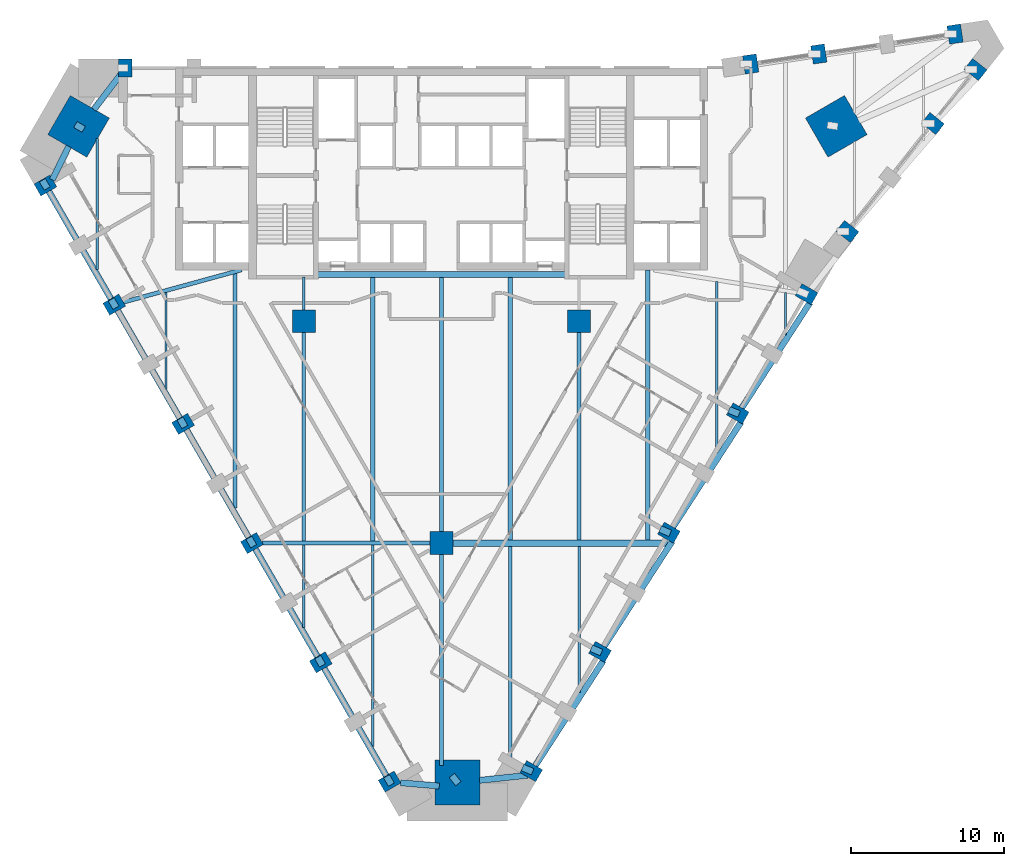
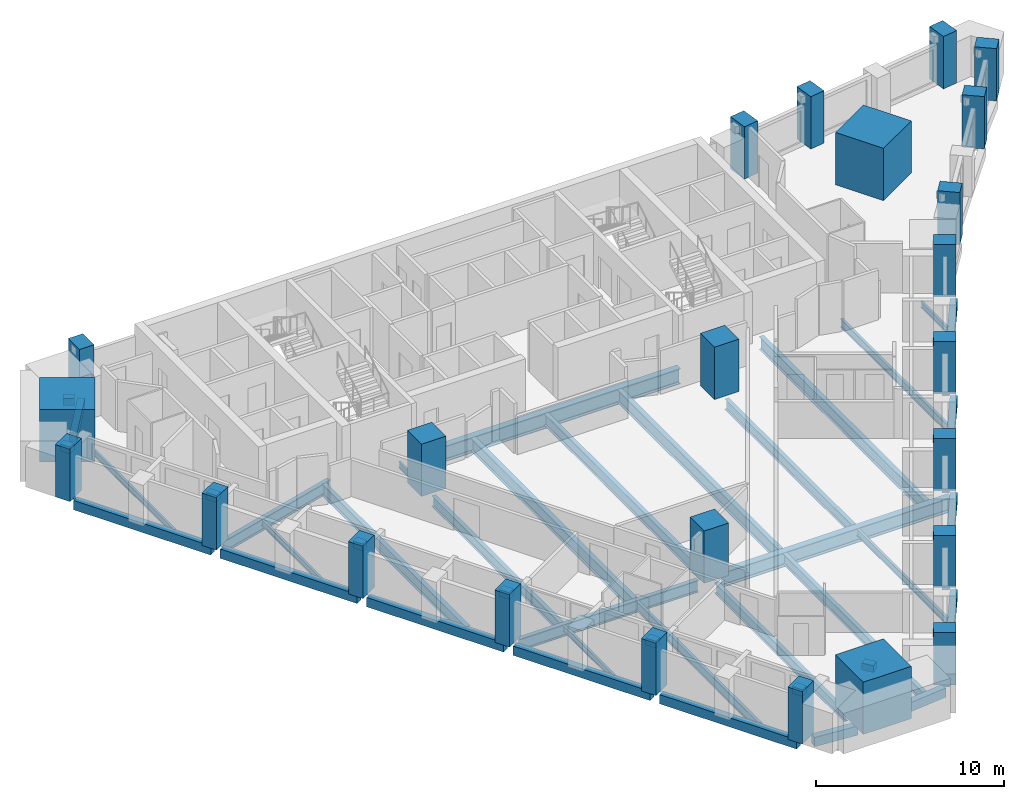
# One storey, part 1 of 10: 46 beams, 24 columns.
"""IFC4 building model written with IfcOpenShell, lengths in metres."""

from ifc_helpers import new_model, si_unit, direction, frame, origin, origin_2d, place, context, subcontext, project, spatial, rectangle, i_section, extrude, material, material_profile, profile_set, type_object, element, save


model = new_model("IFC4")

# Units and contexts
model_context = context("Model", 3, precision=1e-05, world=origin(), true_north=direction((0.0, 1.0)))
body_context = subcontext(model_context, "Body", "Model", "MODEL_VIEW")
ifc_project = project(units=[si_unit("LENGTHUNIT", "METRE"), si_unit("AREAUNIT", "SQUARE_METRE"), si_unit("VOLUMEUNIT", "CUBIC_METRE"), si_unit("PLANEANGLEUNIT", "RADIAN"), si_unit("MASSUNIT", "GRAM", prefix="KILO")], contexts=[model_context])

# Site, building, storey
site_placement = place(None, origin())
site = spatial("IfcSite", under=ifc_project, at=site_placement, CompositionType="ELEMENT")
building_placement = place(site_placement, origin())
building = spatial("IfcBuilding", under=site, at=building_placement, Name="Calabash Gate Tower", CompositionType="ELEMENT")
storey_placement = place(building_placement, frame((0.0, 0.0, 108.800048828125)))
storey = spatial("IfcBuildingStorey", under=building, at=storey_placement, Name="L24", CompositionType="ELEMENT", Elevation=108.800048828125)

# Columns
ifc_material_1 = material(Name="Concrete C80/95", Category="concrete")
ifc_material_profile_1 = material_profile(ifc_material_1, rectangle(XDim=1.5, YDim=1.5, at=origin_2d()))
ifc_profile_set_1 = profile_set([ifc_material_profile_1], Name="Concrete C80/95")
column_type_1 = type_object("IfcColumnType", Name="Interior column RC 1500x1500 Concrete C80/95", PredefinedType="COLUMN", material=ifc_profile_set_1)
for number, where, z_axis, x_axis, name in (
    (1, (-9.0, 2.5, 0.0), (0.0, 0.0, 1.0), (1.0, 0.0, 0.0), "Interior column L24 I0"),
    (2, (9.0, 2.5, 0.0), (0.0, 0.0, 1.0), (1.0, 0.0, 0.0), "Interior column L24 I1"),
    (3, (0.0, -12.0, 0.0), (0.0, 0.0, 1.0), (1.0, 0.0, 0.0), "Interior column L24 I2"),
):
    element("IfcColumn", number, at=place(storey_placement, frame(where, z_axis=z_axis, x_axis=x_axis)), inside=storey, type_object=column_type_1, Name=name, PredefinedType="COLUMN", context=body_context, shape_type="SweptSolid", body=[
        extrude(rectangle(XDim=1.5, YDim=1.5, at=origin_2d()), origin(), (0.0, 0.0, 1.0), 3.39990234375),
    ])
ifc_material_2 = material(Name="Concrete C80/95", Category="concrete")
ifc_material_profile_2 = material_profile(ifc_material_2, rectangle(XDim=2.949951171875, YDim=2.949951171875, at=origin_2d()))
ifc_profile_set_2 = profile_set([ifc_material_profile_2], Name="Concrete C80/95")
column_type_2 = type_object("IfcColumnType", Name="Mega column RC 2950x2950 Concrete C80/95", PredefinedType="COLUMN", material=ifc_profile_set_2)
for number, where, z_axis, x_axis, name in (
    (4, (-23.72412109375, 15.243896484375, 0.0), (0.0, 0.0, 1.0), (0.866025403784, -0.5, 0.0), "Mega column L24 NW"),
    (5, (25.806884765625, 15.243896484375, 0.0), (0.0, 0.0, 1.0), (-0.866025403784, -0.5, 0.0), "Mega column L24 NE"),
    (6, (1.041015625, -27.65087890625, 0.0), (0.0, 0.0, 1.0), (0.0, 1.0, 0.0), "Mega column L24 S"),
):
    element("IfcColumn", number, at=place(storey_placement, frame(where, z_axis=z_axis, x_axis=x_axis)), inside=storey, type_object=column_type_2, Name=name, PredefinedType="COLUMN", context=body_context, shape_type="SweptSolid", body=[
        extrude(rectangle(XDim=2.949951171875, YDim=2.949951171875, at=origin_2d()), origin(), (0.0, 0.0, 1.0), 3.39990234375),
    ])
ifc_material_3 = material(Name="Concrete C70/85", Category="concrete")
ifc_material_profile_3 = material_profile(ifc_material_3, rectangle(XDim=0.89990234375, YDim=1.199951171875, at=origin_2d()))
ifc_profile_set_3 = profile_set([ifc_material_profile_3], Name="Concrete C70/85")
column_type_3 = type_object("IfcColumnType", Name="Perimeter column RC 900x1200 Concrete C70/85", PredefinedType="COLUMN", material=ifc_profile_set_3)
for number, where, z_axis, x_axis, name in (
    (7, (-25.889892578125, 11.3779296875, 0.0), (0.0, 0.0, 1.0), (0.5, -0.866025403784, 0.0), "Perimeter column L24 P20"),
    (8, (-21.389892578125, 3.5830078125, 0.0), (0.0, 0.0, 1.0), (0.5, -0.866025403784, 0.0), "Perimeter column L24 P00"),
    (9, (-16.889892578125, -4.2109375, 0.0), (0.0, 0.0, 1.0), (0.5, -0.866025403784, 0.0), "Perimeter column L24 P01"),
    (10, (-12.389892578125, -12.0029296875, 0.0), (0.0, 0.0, 1.0), (0.5, -0.866025403784, 0.0), "Perimeter column L24 P02"),
    (11, (-7.889892578125, -19.799072265625, 0.0), (0.0, 0.0, 1.0), (0.5, -0.866025403784, 0.0), "Perimeter column L24 P03"),
    (12, (-3.389892578125, -27.593017578125, 0.0), (0.0, 0.0, 1.0), (0.5, -0.866025403784, 0.0), "Perimeter column L24 P05"),
    (13, (5.866943359375, -26.908935546875, 0.0), (0.0, 0.0, 1.0), (0.5, 0.866025403784, 0.0), "Perimeter column L24 P08"),
    (14, (10.366943359375, -19.113037109375, 0.0), (0.0, 0.0, 1.0), (0.5, 0.866025403784, 0.0), "Perimeter column L24 P09"),
    (15, (14.866943359375, -11.321044921875, 0.0), (0.0, 0.0, 1.0), (0.5, 0.866025403784, 0.0), "Perimeter column L24 P10"),
    (16, (19.366943359375, -3.527099609375, 0.0), (0.0, 0.0, 1.0), (0.5, 0.866025403784, 0.0), "Perimeter column L24 P11"),
    (17, (23.866943359375, 4.26708984375, 0.0), (0.0, 0.0, 1.0), (0.5, 0.866025403784, 0.0), "Perimeter column L24 P12"),
    (18, (26.5400390625, 8.366943359375, 0.0), (0.0, 0.0, 1.0), (0.620301172202, 0.784363726701, 0.0), "Perimeter column L24 P13"),
    (19, (32.1220703125, 15.424072265625, 0.0), (0.0, 0.0, 1.0), (0.620301172202, 0.784363726701, 0.0), "Perimeter column L24 P21"),
    (20, (34.9140625, 18.9541015625, 0.0), (0.0, 0.0, 1.0), (0.620301172202, 0.784363726701, 0.0), "Perimeter column L24 P22"),
    (21, (33.572998046875, 21.27587890625, 0.0), (0.0, 0.0, 1.0), (-0.989429504293, -0.145014675236, 0.0), "Perimeter column L24 P23"),
    (22, (24.66796875, 19.970947265625, 0.0), (0.0, 0.0, 1.0), (-0.989429504293, -0.145014675236, 0.0), "Perimeter column L24 P16"),
    (23, (20.216064453125, 19.318115234375, 0.0), (0.0, 0.0, 1.0), (-0.989429504293, -0.145014675236, 0.0), "Perimeter column L24 P24"),
    (24, (-20.6689453125, 19.052978515625, 0.0), (0.0, 0.0, 1.0), (-1.0, 0.0, 0.0), "Perimeter column L24 P17"),
):
    element("IfcColumn", number, at=place(storey_placement, frame(where, z_axis=z_axis, x_axis=x_axis)), inside=storey, type_object=column_type_3, Name=name, PredefinedType="COLUMN", context=body_context, shape_type="SweptSolid", body=[
        extrude(rectangle(XDim=0.89990234375, YDim=1.199951171875, at=origin_2d()), origin(), (0.0, 0.0, 1.0), 3.39990234375),
    ])

# Beams
ifc_material_4 = material(Name="Concrete C80/95", Category="concrete")
ifc_material_profile_4 = material_profile(ifc_material_4, rectangle(XDim=0.449951171875, YDim=0.449951171875, at=origin_2d()))
ifc_profile_set_4 = profile_set([ifc_material_profile_4], Name="Concrete C80/95")
beam_type_1 = type_object("IfcBeamType", Name="Column offset link RC 450x450 Concrete C80/95", PredefinedType="BEAM", material=ifc_profile_set_4)
beam_1_placement = place(storey_placement, frame((-23.384033203125, 15.048095703125, 3.00390625), z_axis=(-0.866185586049, 0.49972245349, 0.0), x_axis=(-0.49972245349, -0.866185586049, 0.0)))
element("IfcBeam", 25, at=beam_1_placement, inside=storey, type_object=beam_type_1, Name="Column offset link L24 NW", PredefinedType="BEAM", context=body_context, shape_type="SweptSolid", body=[
    extrude(rectangle(XDim=0.449951171875, YDim=0.449951171875, at=origin_2d()), origin(), (0.0, 0.0, 1.0), 0.630126953125),
])
for number, where, z_axis, x_axis, name in (
    (26, (-21.27392578125, 3.383056640625, 3.00390625), (-0.500684610135, 0.865629782975, 0.0), (-0.865629782975, -0.500684610135, 0.0), "Column offset link L24 P00"),
    (27, (-16.77392578125, -4.410888671875, 3.00390625), (-0.500684610135, 0.865629782975, 0.0), (-0.865629782975, -0.500684610135, 0.0), "Column offset link L24 P01"),
):
    element("IfcBeam", number, at=place(storey_placement, frame(where, z_axis=z_axis, x_axis=x_axis)), inside=storey, type_object=beam_type_1, Name=name, PredefinedType="BEAM", context=body_context, shape_type="SweptSolid", body=[
        extrude(rectangle(XDim=0.449951171875, YDim=0.449951171875, at=origin_2d()), origin(), (0.0, 0.0, 1.0), 0.62939453125),
    ])
beam_2_placement = place(storey_placement, frame((-12.27392578125, -12.2060546875, 3.00390625), z_axis=(-0.499845348112, 0.866114673684, 0.0), x_axis=(-0.866114673684, -0.499845348112, 0.0)))
element("IfcBeam", 28, at=beam_2_placement, inside=storey, type_object=beam_type_1, Name="Column offset link L24 P02", PredefinedType="BEAM", context=body_context, shape_type="SweptSolid", body=[
    extrude(rectangle(XDim=0.449951171875, YDim=0.449951171875, at=origin_2d()), origin(), (0.0, 0.0, 1.0), 0.630615234375),
])
for number, where, z_axis, x_axis, name in (
    (29, (-7.77392578125, -20.0, 3.00390625), (-0.500013012896, 0.866017890655, 0.0), (-0.866017890655, -0.500013012896, 0.0), "Column offset link L24 P03"),
    (30, (-3.27392578125, -27.7939453125, 3.00390625), (-0.500013012896, 0.866017890655, 0.0), (-0.866017890655, -0.500013012896, 0.0), "Column offset link L24 P05"),
):
    element("IfcBeam", number, at=place(storey_placement, frame(where, z_axis=z_axis, x_axis=x_axis)), inside=storey, type_object=beam_type_1, Name=name, PredefinedType="BEAM", context=body_context, shape_type="SweptSolid", body=[
        extrude(rectangle(XDim=0.449951171875, YDim=0.449951171875, at=origin_2d()), origin(), (0.0, 0.0, 1.0), 0.63037109375),
    ])
beam_3_placement = place(storey_placement, frame((5.958984375, -26.947998046875, 3.00390625), z_axis=(-0.92144972824, 0.388497616886, 0.0), x_axis=(-0.388497616886, -0.92144972824, 0.0)))
element("IfcBeam", 31, at=beam_3_placement, inside=storey, type_object=beam_type_1, Name="Column offset link L24 P08", PredefinedType="BEAM", context=body_context, shape_type="SweptSolid", body=[
    extrude(rectangle(XDim=0.449951171875, YDim=0.449951171875, at=origin_2d()), origin(), (0.0, 0.0, 1.0), 0.71826171875),
])
beam_4_placement = place(storey_placement, frame((10.458984375, -19.154052734375, 3.00390625), z_axis=(-0.920474470513, 0.390802698473, 0.0), x_axis=(-0.390802698473, -0.920474470513, 0.0)))
element("IfcBeam", 32, at=beam_4_placement, inside=storey, type_object=beam_type_1, Name="Column offset link L24 P09", PredefinedType="BEAM", context=body_context, shape_type="SweptSolid", body=[
    extrude(rectangle(XDim=0.449951171875, YDim=0.449951171875, at=origin_2d()), origin(), (0.0, 0.0, 1.0), 0.718994140625),
])
beam_5_placement = place(storey_placement, frame((14.958984375, -11.360107421875, 3.00390625), z_axis=(-0.92144972824, 0.388497616886, 0.0), x_axis=(-0.388497616886, -0.92144972824, 0.0)))
element("IfcBeam", 33, at=beam_5_placement, inside=storey, type_object=beam_type_1, Name="Column offset link L24 P10", PredefinedType="BEAM", context=body_context, shape_type="SweptSolid", body=[
    extrude(rectangle(XDim=0.449951171875, YDim=0.449951171875, at=origin_2d()), origin(), (0.0, 0.0, 1.0), 0.71826171875),
])
beam_6_placement = place(storey_placement, frame((19.458984375, -3.56298828125, 3.00390625), z_axis=(-0.923026549102, 0.384736259862, 0.0), x_axis=(-0.384736259862, -0.923026549102, 0.0)))
element("IfcBeam", 34, at=beam_6_placement, inside=storey, type_object=beam_type_1, Name="Column offset link L24 P11", PredefinedType="BEAM", context=body_context, shape_type="SweptSolid", body=[
    extrude(rectangle(XDim=0.449951171875, YDim=0.449951171875, at=origin_2d()), origin(), (0.0, 0.0, 1.0), 0.717041015625),
])
beam_7_placement = place(storey_placement, frame((-25.77392578125, 11.177001953125, 3.00390625), z_axis=(-0.500013012896, 0.866017890655, 0.0), x_axis=(-0.866017890655, -0.500013012896, 0.0)))
element("IfcBeam", 35, at=beam_7_placement, inside=storey, type_object=beam_type_1, Name="Column offset link L24 P20", PredefinedType="BEAM", context=body_context, shape_type="SweptSolid", body=[
    extrude(rectangle(XDim=0.449951171875, YDim=0.449951171875, at=origin_2d()), origin(), (0.0, 0.0, 1.0), 0.63037109375),
])
beam_8_placement = place(storey_placement, frame((1.10302734375, -27.72998046875, 3.00390625), z_axis=(-0.618089910902, 0.786107411262, 0.0), x_axis=(-0.786107411262, -0.618089910902, 0.0)))
element("IfcBeam", 36, at=beam_8_placement, inside=storey, type_object=beam_type_1, Name="Column offset link L24 S", PredefinedType="BEAM", context=body_context, shape_type="SweptSolid", body=[
    extrude(rectangle(XDim=0.449951171875, YDim=0.449951171875, at=origin_2d()), origin(), (0.0, 0.0, 1.0), 0.682861328125),
])
ifc_material_5 = material(Name="Concrete C60/75", Category="concrete")
ifc_material_profile_5 = material_profile(ifc_material_5, rectangle(XDim=0.39990234375, YDim=0.60009765625, at=origin_2d()))
ifc_profile_set_5 = profile_set([ifc_material_profile_5], Name="Concrete C60/75")
beam_type_2 = type_object("IfcBeamType", Name="Edge beam RC 400x600 Concrete C60/75", PredefinedType="BEAM", material=ifc_profile_set_5)
beam_9_placement = place(storey_placement, frame((-16.672119140625, -4.589111328125, -0.469970703125), z_axis=(0.500175705322, -0.865923936501, 0.0), x_axis=(0.865923936501, 0.500175705322, 0.0)))
element("IfcBeam", 37, at=beam_9_placement, inside=storey, type_object=beam_type_2, Name="Edge beam L24 1", PredefinedType="BEAM", context=body_context, shape_type="SweptSolid", body=[
    extrude(rectangle(XDim=0.39990234375, YDim=0.60009765625, at=origin_2d()), origin(), (0.0, 0.0, 1.0), 8.42333984375),
])
beam_10_placement = place(storey_placement, frame((-12.172119140625, -12.383056640625, -0.469970703125), z_axis=(0.500025102917, -0.866010910123, 0.0), x_axis=(0.866010910123, 0.500025102917, 0.0)))
element("IfcBeam", 38, at=beam_10_placement, inside=storey, type_object=beam_type_2, Name="Edge beam L24 2", PredefinedType="BEAM", context=body_context, shape_type="SweptSolid", body=[
    extrude(rectangle(XDim=0.39990234375, YDim=0.60009765625, at=origin_2d()), origin(), (0.0, 0.0, 1.0), 8.42578125),
])
beam_11_placement = place(storey_placement, frame((-7.672119140625, -20.177001953125, -0.469970703125), z_axis=(0.500012556128, -0.866018154379, 0.0), x_axis=(0.866018154379, 0.500012556128, 0.0)))
element("IfcBeam", 39, at=beam_11_placement, inside=storey, type_object=beam_type_2, Name="Edge beam L24 3", PredefinedType="BEAM", context=body_context, shape_type="SweptSolid", body=[
    extrude(rectangle(XDim=0.39990234375, YDim=0.60009765625, at=origin_2d()), origin(), (0.0, 0.0, 1.0), 8.426025390625),
])
beam_12_placement = place(storey_placement, frame((-2.673095703125, -27.6669921875, -0.469970703125), z_axis=(0.996373247491, -0.085090256106, 0.0), x_axis=(0.085090256106, 0.996373247491, 0.0)))
element("IfcBeam", 40, at=beam_12_placement, inside=storey, type_object=beam_type_2, Name="Edge beam L24 4", PredefinedType="BEAM", context=body_context, shape_type="SweptSolid", body=[
    extrude(rectangle(XDim=0.39990234375, YDim=0.60009765625, at=origin_2d()), origin(), (0.0, 0.0, 1.0), 2.539306640625),
])
beam_13_placement = place(storey_placement, frame((2.489990234375, -27.512939453125, -0.469970703125), z_axis=(0.99429686812, 0.106647728743, 0.0), x_axis=(-0.106647728743, 0.99429686812, 0.0)))
element("IfcBeam", 41, at=beam_13_placement, inside=storey, type_object=beam_type_2, Name="Edge beam L24 5", PredefinedType="BEAM", context=body_context, shape_type="SweptSolid", body=[
    extrude(rectangle(XDim=0.39990234375, YDim=0.60009765625, at=origin_2d()), origin(), (0.0, 0.0, 1.0), 3.1591796875),
])
beam_14_placement = place(storey_placement, frame((6.1259765625, -26.55810546875, -0.469970703125), z_axis=(0.543664298649, 0.839302764427, 0.0), x_axis=(-0.839302764427, 0.543664298649, 0.0)))
element("IfcBeam", 42, at=beam_14_placement, inside=storey, type_object=beam_type_2, Name="Edge beam L24 6", PredefinedType="BEAM", context=body_context, shape_type="SweptSolid", body=[
    extrude(rectangle(XDim=0.39990234375, YDim=0.60009765625, at=origin_2d()), origin(), (0.0, 0.0, 1.0), 8.20947265625),
])
beam_15_placement = place(storey_placement, frame((10.6259765625, -18.763916015625, -0.469970703125), z_axis=(0.543677868932, 0.839293974024, 0.0), x_axis=(-0.839293974024, 0.543677868932, 0.0)))
element("IfcBeam", 43, at=beam_15_placement, inside=storey, type_object=beam_type_2, Name="Edge beam L24 7", PredefinedType="BEAM", context=body_context, shape_type="SweptSolid", body=[
    extrude(rectangle(XDim=0.39990234375, YDim=0.60009765625, at=origin_2d()), origin(), (0.0, 0.0, 1.0), 8.209228515625),
])
beam_16_placement = place(storey_placement, frame((15.1259765625, -10.968994140625, -0.469970703125), z_axis=(0.543732155417, 0.839258805831, 0.0), x_axis=(-0.839258805831, 0.543732155417, 0.0)))
element("IfcBeam", 44, at=beam_16_placement, inside=storey, type_object=beam_type_2, Name="Edge beam L24 8", PredefinedType="BEAM", context=body_context, shape_type="SweptSolid", body=[
    extrude(rectangle(XDim=0.39990234375, YDim=0.60009765625, at=origin_2d()), origin(), (0.0, 0.0, 1.0), 8.208251953125),
])
beam_17_placement = place(storey_placement, frame((19.6259765625, -3.173095703125, -0.469970703125), z_axis=(0.543827177379, 0.839197236139, 0.0), x_axis=(-0.839197236139, 0.543827177379, 0.0)))
element("IfcBeam", 45, at=beam_17_placement, inside=storey, type_object=beam_type_2, Name="Edge beam L24 9", PredefinedType="BEAM", context=body_context, shape_type="SweptSolid", body=[
    extrude(rectangle(XDim=0.39990234375, YDim=0.60009765625, at=origin_2d()), origin(), (0.0, 0.0, 1.0), 8.206787109375),
])
beam_18_placement = place(storey_placement, frame((-20.738037109375, 18.93896484375, -0.469970703125), z_axis=(-0.607056715402, -0.794658507968, 0.0), x_axis=(0.794658507968, -0.607056715402, 0.0)))
element("IfcBeam", 46, at=beam_18_placement, inside=storey, type_object=beam_type_2, Name="Edge beam L24 17", PredefinedType="BEAM", context=body_context, shape_type="SweptSolid", body=[
    extrude(rectangle(XDim=0.39990234375, YDim=0.60009765625, at=origin_2d()), origin(), (0.0, 0.0, 1.0), 3.271728515625),
])
beam_19_placement = place(storey_placement, frame((-24.365966796875, 13.930908203125, -0.469970703125), z_axis=(-0.442832113962, -0.896604549868, 0.0), x_axis=(0.896604549868, -0.442832113962, 0.0)))
element("IfcBeam", 47, at=beam_19_placement, inside=storey, type_object=beam_type_2, Name="Edge beam L24 18", PredefinedType="BEAM", context=body_context, shape_type="SweptSolid", body=[
    extrude(rectangle(XDim=0.39990234375, YDim=0.60009765625, at=origin_2d()), origin(), (0.0, 0.0, 1.0), 2.432373046875),
])
for number, where, z_axis, x_axis, name in (
    (48, (-25.672119140625, 11.0, -0.469970703125), (0.500012556128, -0.866018154379, 0.0), (0.866018154379, 0.500012556128, 0.0), "Edge beam L24 19"),
    (49, (-21.172119140625, 3.2060546875, -0.469970703125), (0.500012556128, -0.866018154379, 0.0), (0.866018154379, 0.500012556128, 0.0), "Edge beam L24 20"),
):
    element("IfcBeam", number, at=place(storey_placement, frame(where, z_axis=z_axis, x_axis=x_axis)), inside=storey, type_object=beam_type_2, Name=name, PredefinedType="BEAM", context=body_context, shape_type="SweptSolid", body=[
        extrude(rectangle(XDim=0.39990234375, YDim=0.60009765625, at=origin_2d()), origin(), (0.0, 0.0, 1.0), 8.426025390625),
    ])
ifc_material_6 = material(Name="Steel ASTM A992 Gr50", Category="steel")
ifc_material_profile_6 = material_profile(ifc_material_6, i_section(OverallWidth=0.1396484375, OverallDepth=0.398681640625, WebThickness=0.00634765625, FlangeThickness=0.0087890625, FilletRadius=0.01025390625, at=origin_2d()))
ifc_profile_set_6 = profile_set([ifc_material_profile_6], Name="Steel ASTM A992 Gr50")
beam_type_3 = type_object("IfcBeamType", Name="Floor beam W16x26 ASTM A992 Gr50", PredefinedType="BEAM", material=ifc_profile_set_6)
beam_20_placement = place(storey_placement, frame((-22.5, 5.8740234375, -0.369140625), z_axis=(0.0, 1.0, 0.0), x_axis=(-1.0, 0.0, 0.0)))
element("IfcBeam", 50, at=beam_20_placement, inside=storey, type_object=beam_type_3, Name="Floor beam L24 1", PredefinedType="BEAM", context=body_context, shape_type="SweptSolid", body=[
    extrude(i_section(OverallWidth=0.1396484375, OverallDepth=0.398681640625, WebThickness=0.00634765625, FlangeThickness=0.0087890625, FilletRadius=0.01025390625, at=origin_2d()), origin(), (0.0, 0.0, 1.0), 8.56787109375),
])
beam_21_placement = place(storey_placement, frame((-18.0, -1.919921875, -0.369140625), z_axis=(0.0, 1.0, 0.0), x_axis=(-1.0, 0.0, 0.0)))
element("IfcBeam", 51, at=beam_21_placement, inside=storey, type_object=beam_type_3, Name="Floor beam L24 2", PredefinedType="BEAM", context=body_context, shape_type="SweptSolid", body=[
    extrude(i_section(OverallWidth=0.1396484375, OverallDepth=0.398681640625, WebThickness=0.00634765625, FlangeThickness=0.0087890625, FilletRadius=0.01025390625, at=origin_2d()), origin(), (0.0, 0.0, 1.0), 6.31689453125),
])
beam_22_placement = place(storey_placement, frame((-9.0, -17.508056640625, -0.369140625), z_axis=(0.0, 1.0, 0.0), x_axis=(-1.0, 0.0, 0.0)))
element("IfcBeam", 52, at=beam_22_placement, inside=storey, type_object=beam_type_3, Name="Floor beam L24 4", PredefinedType="BEAM", context=body_context, shape_type="SweptSolid", body=[
    extrude(i_section(OverallWidth=0.1396484375, OverallDepth=0.398681640625, WebThickness=0.00634765625, FlangeThickness=0.0087890625, FilletRadius=0.01025390625, at=origin_2d()), origin(), (0.0, 0.0, 1.0), 5.375),
])
beam_23_placement = place(storey_placement, frame((-9.0, 3.25, -0.369140625), z_axis=(0.0, 1.0, 0.0), x_axis=(-1.0, 0.0, 0.0)))
element("IfcBeam", 53, at=beam_23_placement, inside=storey, type_object=beam_type_3, Name="Floor beam L24 6", PredefinedType="BEAM", context=body_context, shape_type="SweptSolid", body=[
    extrude(i_section(OverallWidth=0.1396484375, OverallDepth=0.398681640625, WebThickness=0.00634765625, FlangeThickness=0.0087890625, FilletRadius=0.01025390625, at=origin_2d()), origin(), (0.0, 0.0, 1.0), 2.153076171875),
])
beam_24_placement = place(storey_placement, frame((22.5, 1.60693359375, -0.369140625), z_axis=(0.0, 1.0, 0.0), x_axis=(-1.0, 0.0, 0.0)))
element("IfcBeam", 54, at=beam_24_placement, inside=storey, type_object=beam_type_3, Name="Floor beam L24 18", PredefinedType="BEAM", context=body_context, shape_type="SweptSolid", body=[
    extrude(i_section(OverallWidth=0.1396484375, OverallDepth=0.398681640625, WebThickness=0.00634765625, FlangeThickness=0.0087890625, FilletRadius=0.01025390625, at=origin_2d()), origin(), (0.0, 0.0, 1.0), 2.775146484375),
])
ifc_material_7 = material(Name="Steel ASTM A992 Gr50", Category="steel")
ifc_material_profile_7 = material_profile(ifc_material_7, i_section(OverallWidth=0.15234375, OverallDepth=0.44970703125, WebThickness=0.007568359375, FlangeThickness=0.0107421875, FilletRadius=0.01025390625, at=origin_2d()))
ifc_profile_set_7 = profile_set([ifc_material_profile_7], Name="Steel ASTM A992 Gr50")
beam_type_4 = type_object("IfcBeamType", Name="Floor beam W18x35 ASTM A992 Gr50", PredefinedType="BEAM", material=ifc_profile_set_7)
beam_25_placement = place(storey_placement, frame((9.0, -21.77294921875, -0.39306640625), z_axis=(0.0, 1.0, 0.0), x_axis=(-1.0, 0.0, 0.0)))
element("IfcBeam", 55, at=beam_25_placement, inside=storey, type_object=beam_type_4, Name="Floor beam L24 13", PredefinedType="BEAM", context=body_context, shape_type="SweptSolid", body=[
    extrude(i_section(OverallWidth=0.15234375, OverallDepth=0.44970703125, WebThickness=0.007568359375, FlangeThickness=0.0107421875, FilletRadius=0.01025390625, at=origin_2d()), origin(), (0.0, 0.0, 1.0), 9.56298828125),
])
ifc_material_8 = material(Name="Steel ASTM A992 Gr50", Category="steel")
ifc_material_profile_8 = material_profile(ifc_material_8, i_section(OverallWidth=0.166015625, OverallDepth=0.5283203125, WebThickness=0.009765625, FlangeThickness=0.013671875, FilletRadius=0.0126953125, at=origin_2d()))
ifc_profile_set_8 = profile_set([ifc_material_profile_8], Name="Steel ASTM A992 Gr50")
beam_type_5 = type_object("IfcBeamType", Name="Floor beam W21x50 ASTM A992 Gr50", PredefinedType="BEAM", material=ifc_profile_set_8)
beam_26_placement = place(storey_placement, frame((18.0, -6.18701171875, -0.43408203125), z_axis=(0.0, 1.0, 0.0), x_axis=(-1.0, 0.0, 0.0)))
element("IfcBeam", 56, at=beam_26_placement, inside=storey, type_object=beam_type_5, Name="Floor beam L24 17", PredefinedType="BEAM", context=body_context, shape_type="SweptSolid", body=[
    extrude(i_section(OverallWidth=0.166015625, OverallDepth=0.5283203125, WebThickness=0.009765625, FlangeThickness=0.013671875, FilletRadius=0.0126953125, at=origin_2d()), origin(), (0.0, 0.0, 1.0), 11.282958984375),
])
ifc_material_9 = material(Name="Steel ASTM A992 Gr50", Category="steel")
ifc_material_profile_9 = material_profile(ifc_material_9, i_section(OverallWidth=0.1787109375, OverallDepth=0.60205078125, WebThickness=0.010986328125, FlangeThickness=0.014892578125, FilletRadius=0.0126953125, at=origin_2d()))
ifc_profile_set_9 = profile_set([ifc_material_profile_9], Name="Steel ASTM A992 Gr50")
beam_type_6 = type_object("IfcBeamType", Name="Floor beam W24x62 ASTM A992 Gr50", PredefinedType="BEAM", material=ifc_profile_set_9)
beam_27_placement = place(storey_placement, frame((-4.5, -25.302978515625, -0.470947265625), z_axis=(0.0, 1.0, 0.0), x_axis=(-1.0, 0.0, 0.0)))
element("IfcBeam", 57, at=beam_27_placement, inside=storey, type_object=beam_type_6, Name="Floor beam L24 7", PredefinedType="BEAM", context=body_context, shape_type="SweptSolid", body=[
    extrude(i_section(OverallWidth=0.1787109375, OverallDepth=0.60205078125, WebThickness=0.010986328125, FlangeThickness=0.014892578125, FilletRadius=0.0126953125, at=origin_2d()), origin(), (0.0, 0.0, 1.0), 13.169921875),
])
ifc_material_10 = material(Name="Steel ASTM A992 Gr50", Category="steel")
ifc_material_profile_10 = material_profile(ifc_material_10, i_section(OverallWidth=0.25390625, OverallDepth=0.67822265625, WebThickness=0.01171875, FlangeThickness=0.016357421875, FilletRadius=0.01513671875, at=origin_2d()))
ifc_profile_set_10 = profile_set([ifc_material_profile_10], Name="Steel ASTM A992 Gr50")
beam_type_7 = type_object("IfcBeamType", Name="Floor beam W27x84 ASTM A992 Gr50", PredefinedType="BEAM", material=ifc_profile_set_10)
beam_28_placement = place(storey_placement, frame((-9.0, -11.866943359375, -0.509033203125), z_axis=(0.0, 1.0, 0.0), x_axis=(-1.0, 0.0, 0.0)))
element("IfcBeam", 58, at=beam_28_placement, inside=storey, type_object=beam_type_7, Name="Floor beam L24 5", PredefinedType="BEAM", context=body_context, shape_type="SweptSolid", body=[
    extrude(i_section(OverallWidth=0.25390625, OverallDepth=0.67822265625, WebThickness=0.01171875, FlangeThickness=0.016357421875, FilletRadius=0.01513671875, at=origin_2d()), origin(), (0.0, 0.0, 1.0), 13.616943359375),
])
beam_29_placement = place(storey_placement, frame((0.0, -26.548095703125, -0.509033203125), z_axis=(0.0, 1.0, 0.0), x_axis=(-1.0, 0.0, 0.0)))
element("IfcBeam", 59, at=beam_29_placement, inside=storey, type_object=beam_type_7, Name="Floor beam L24 9", PredefinedType="BEAM", context=body_context, shape_type="SweptSolid", body=[
    extrude(i_section(OverallWidth=0.25390625, OverallDepth=0.67822265625, WebThickness=0.01171875, FlangeThickness=0.016357421875, FilletRadius=0.01513671875, at=origin_2d()), origin(), (0.0, 0.0, 1.0), 13.798095703125),
])
beam_30_placement = place(storey_placement, frame((4.5, -27.118896484375, -0.509033203125), z_axis=(0.0, 1.0, 0.0), x_axis=(-1.0, 0.0, 0.0)))
element("IfcBeam", 60, at=beam_30_placement, inside=storey, type_object=beam_type_7, Name="Floor beam L24 11", PredefinedType="BEAM", context=body_context, shape_type="SweptSolid", body=[
    extrude(i_section(OverallWidth=0.25390625, OverallDepth=0.67822265625, WebThickness=0.01171875, FlangeThickness=0.016357421875, FilletRadius=0.01513671875, at=origin_2d()), origin(), (0.0, 0.0, 1.0), 14.908935546875),
])
beam_31_placement = place(storey_placement, frame((9.0, -11.7900390625, -0.509033203125), z_axis=(0.0, 1.0, 0.0), x_axis=(-1.0, 0.0, 0.0)))
element("IfcBeam", 61, at=beam_31_placement, inside=storey, type_object=beam_type_7, Name="Floor beam L24 14", PredefinedType="BEAM", context=body_context, shape_type="SweptSolid", body=[
    extrude(i_section(OverallWidth=0.25390625, OverallDepth=0.67822265625, WebThickness=0.01171875, FlangeThickness=0.016357421875, FilletRadius=0.01513671875, at=origin_2d()), origin(), (0.0, 0.0, 1.0), 13.5400390625),
])
ifc_material_11 = material(Name="Steel ASTM A992 Gr50", Category="steel")
ifc_material_profile_11 = material_profile(ifc_material_11, i_section(OverallWidth=0.2666015625, OverallDepth=0.7568359375, WebThickness=0.013916015625, FlangeThickness=0.019287109375, FilletRadius=0.0166015625, at=origin_2d()))
ifc_profile_set_11 = profile_set([ifc_material_profile_11], Name="Steel ASTM A992 Gr50")
beam_type_8 = type_object("IfcBeamType", Name="Floor beam W30x108 ASTM A992 Gr50", PredefinedType="BEAM", material=ifc_profile_set_11)
beam_32_placement = place(storey_placement, frame((-13.5, -9.714111328125, -0.548095703125), z_axis=(0.0, 1.0, 0.0), x_axis=(-1.0, 0.0, 0.0)))
element("IfcBeam", 62, at=beam_32_placement, inside=storey, type_object=beam_type_8, Name="Floor beam L24 3", PredefinedType="BEAM", context=body_context, shape_type="SweptSolid", body=[
    extrude(i_section(OverallWidth=0.2666015625, OverallDepth=0.7568359375, WebThickness=0.013916015625, FlangeThickness=0.019287109375, FilletRadius=0.0166015625, at=origin_2d()), origin(), (0.0, 0.0, 1.0), 15.340087890625),
])
beam_33_placement = place(storey_placement, frame((0.0, -11.25, -0.548095703125), z_axis=(0.0, 1.0, 0.0), x_axis=(-1.0, 0.0, 0.0)))
element("IfcBeam", 63, at=beam_33_placement, inside=storey, type_object=beam_type_8, Name="Floor beam L24 10", PredefinedType="BEAM", context=body_context, shape_type="SweptSolid", body=[
    extrude(i_section(OverallWidth=0.2666015625, OverallDepth=0.7568359375, WebThickness=0.013916015625, FlangeThickness=0.019287109375, FilletRadius=0.0166015625, at=origin_2d()), origin(), (0.0, 0.0, 1.0), 16.60205078125),
])
ifc_material_12 = material(Name="Steel ASTM A992 Gr50", Category="steel")
ifc_material_profile_12 = material_profile(ifc_material_12, i_section(OverallWidth=0.2919921875, OverallDepth=0.845703125, WebThickness=0.015380859375, FlangeThickness=0.0244140625, FilletRadius=0.017822265625, at=origin_2d()))
ifc_profile_set_12 = profile_set([ifc_material_profile_12], Name="Steel ASTM A992 Gr50")
beam_type_9 = type_object("IfcBeamType", Name="Floor beam W33x141 ASTM A992 Gr50", PredefinedType="BEAM", material=ifc_profile_set_12)
beam_34_placement = place(storey_placement, frame((-4.5, -11.866943359375, -0.593017578125), z_axis=(0.0, 1.0, 0.0), x_axis=(-1.0, 0.0, 0.0)))
element("IfcBeam", 64, at=beam_34_placement, inside=storey, type_object=beam_type_9, Name="Floor beam L24 8", PredefinedType="BEAM", context=body_context, shape_type="SweptSolid", body=[
    extrude(i_section(OverallWidth=0.2919921875, OverallDepth=0.845703125, WebThickness=0.015380859375, FlangeThickness=0.0244140625, FilletRadius=0.017822265625, at=origin_2d()), origin(), (0.0, 0.0, 1.0), 17.218994140625),
])
beam_35_placement = place(storey_placement, frame((4.5, -11.7900390625, -0.593017578125), z_axis=(0.0, 1.0, 0.0), x_axis=(-1.0, 0.0, 0.0)))
element("IfcBeam", 65, at=beam_35_placement, inside=storey, type_object=beam_type_9, Name="Floor beam L24 12", PredefinedType="BEAM", context=body_context, shape_type="SweptSolid", body=[
    extrude(i_section(OverallWidth=0.2919921875, OverallDepth=0.845703125, WebThickness=0.015380859375, FlangeThickness=0.0244140625, FilletRadius=0.017822265625, at=origin_2d()), origin(), (0.0, 0.0, 1.0), 17.14208984375),
])
beam_36_placement = place(storey_placement, frame((13.5, -11.7900390625, -0.593017578125), z_axis=(0.0, 1.0, 0.0), x_axis=(-1.0, 0.0, 0.0)))
element("IfcBeam", 66, at=beam_36_placement, inside=storey, type_object=beam_type_9, Name="Floor beam L24 16", PredefinedType="BEAM", context=body_context, shape_type="SweptSolid", body=[
    extrude(i_section(OverallWidth=0.2919921875, OverallDepth=0.845703125, WebThickness=0.015380859375, FlangeThickness=0.0244140625, FilletRadius=0.017822265625, at=origin_2d()), origin(), (0.0, 0.0, 1.0), 17.64306640625),
])
ifc_material_13 = material(Name="Steel ASTM A992 Gr50", Category="steel")
ifc_material_profile_13 = material_profile(ifc_material_13, i_section(OverallWidth=0.2666015625, OverallDepth=0.77978515625, WebThickness=0.0166015625, FlangeThickness=0.030029296875, FilletRadius=0.0166015625, at=origin_2d()))
ifc_profile_set_13 = profile_set([ifc_material_profile_13], Name="Steel ASTM A992 Gr50")
beam_type_10 = type_object("IfcBeamType", Name="Girder W30x148 ASTM A992 Gr50", PredefinedType="BEAM", material=ifc_profile_set_13)
beam_37_placement = place(storey_placement, frame((-20.81298828125, 3.740966796875, -0.56005859375), z_axis=(0.964572589979, 0.26381758596, 0.0), x_axis=(-0.26381758596, 0.964572589979, 0.0)))
element("IfcBeam", 67, at=beam_37_placement, inside=storey, type_object=beam_type_10, Name="Girder L24 2", PredefinedType="BEAM", context=body_context, shape_type="SweptSolid", body=[
    extrude(i_section(OverallWidth=0.2666015625, OverallDepth=0.77978515625, WebThickness=0.0166015625, FlangeThickness=0.030029296875, FilletRadius=0.0166015625, at=origin_2d()), origin(), (0.0, 0.0, 1.0), 8.024169921875),
])
beam_38_placement = place(storey_placement, frame((-11.73193359375, -12.0, -0.56005859375), z_axis=(1.0, 0.0, 0.0), x_axis=(0.0, 1.0, 0.0)))
element("IfcBeam", 68, at=beam_38_placement, inside=storey, type_object=beam_type_10, Name="Girder L24 4", PredefinedType="BEAM", context=body_context, shape_type="SweptSolid", body=[
    extrude(i_section(OverallWidth=0.2666015625, OverallDepth=0.77978515625, WebThickness=0.0166015625, FlangeThickness=0.030029296875, FilletRadius=0.0166015625, at=origin_2d()), origin(), (0.0, 0.0, 1.0), 10.98193359375),
])
ifc_material_14 = material(Name="Steel ASTM A992 Gr50", Category="steel")
ifc_material_profile_14 = material_profile(ifc_material_14, i_section(OverallWidth=0.419189453125, OverallDepth=0.927001953125, WebThickness=0.019287109375, FlangeThickness=0.031982421875, FilletRadius=0.024169921875, at=origin_2d()))
ifc_profile_set_14 = profile_set([ifc_material_profile_14], Name="Steel ASTM A992 Gr50")
beam_type_11 = type_object("IfcBeamType", Name="Girder W36x231 ASTM A992 Gr50", PredefinedType="BEAM", material=ifc_profile_set_14)
beam_39_placement = place(storey_placement, frame((0.75, -12.0, -0.634033203125), z_axis=(1.0, 0.0, 0.0), x_axis=(0.0, 1.0, 0.0)))
element("IfcBeam", 69, at=beam_39_placement, inside=storey, type_object=beam_type_11, Name="Girder L24 5", PredefinedType="BEAM", context=body_context, shape_type="SweptSolid", body=[
    extrude(i_section(OverallWidth=0.419189453125, OverallDepth=0.927001953125, WebThickness=0.019287109375, FlangeThickness=0.031982421875, FilletRadius=0.024169921875, at=origin_2d()), origin(), (0.0, 0.0, 1.0), 14.037109375),
])
ifc_material_15 = material(Name="Steel ASTM A992 Gr50", Category="steel")
ifc_material_profile_15 = material_profile(ifc_material_15, i_section(OverallWidth=0.4013671875, OverallDepth=1.000732421875, WebThickness=0.01904296875, FlangeThickness=0.0361328125, FilletRadius=0.030029296875, at=origin_2d()))
ifc_profile_set_15 = profile_set([ifc_material_profile_15], Name="Steel ASTM A992 Gr50")
beam_type_12 = type_object("IfcBeamType", Name="Girder W40x249 ASTM A992 Gr50", PredefinedType="BEAM", material=ifc_profile_set_15)
beam_40_placement = place(storey_placement, frame((-8.25, 5.552978515625, -0.670166015625), z_axis=(1.0, 0.0, 0.0), x_axis=(0.0, 1.0, 0.0)))
element("IfcBeam", 70, at=beam_40_placement, inside=storey, type_object=beam_type_12, Name="Girder L24 1", PredefinedType="BEAM", context=body_context, shape_type="SweptSolid", body=[
    extrude(i_section(OverallWidth=0.4013671875, OverallDepth=1.000732421875, WebThickness=0.01904296875, FlangeThickness=0.0361328125, FilletRadius=0.030029296875, at=origin_2d()), origin(), (0.0, 0.0, 1.0), 16.5),
])

save(model, "model.ifc")
